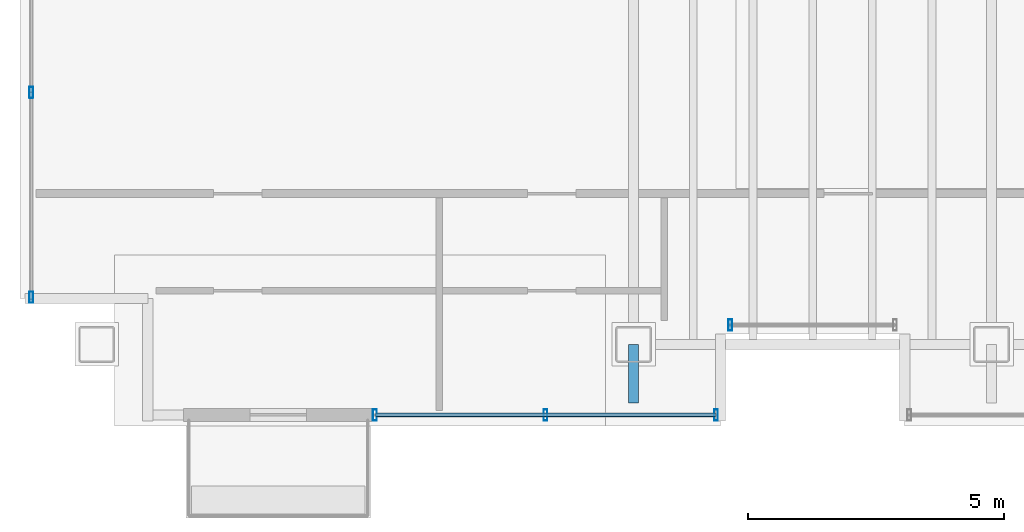
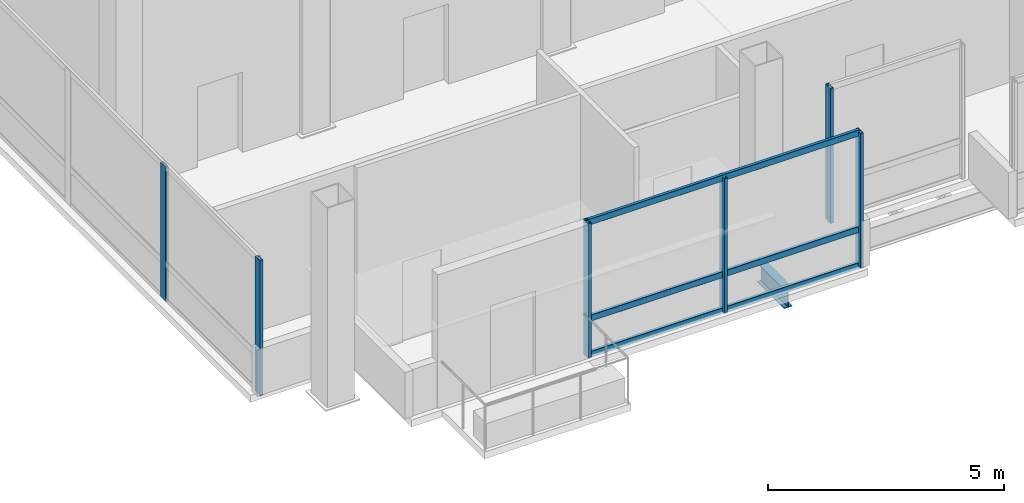
# One storey, part 2 of 17: 9 members, 1 beam, 3 elements without a shape of their own.
"""IFC4 building model written with IfcOpenShell, lengths in metres."""

from ifc_helpers import new_model, si_unit, direction, frame, origin, origin_2d, place, context, subcontext, project, spatial, hollow_rectangle, i_section, extrude, material, material_profile, profile_set, type_object, element, aggregate, save


model = new_model("IFC4")

# Units and contexts
model_context = context("Model", 3, precision=1e-05, world=origin(), true_north=direction((0.0, 1.0)))
body_context = subcontext(model_context, "Body", "Model", "MODEL_VIEW")
ifc_project = project(units=[si_unit("LENGTHUNIT", "METRE"), si_unit("AREAUNIT", "SQUARE_METRE"), si_unit("VOLUMEUNIT", "CUBIC_METRE"), si_unit("PLANEANGLEUNIT", "RADIAN"), si_unit("MASSUNIT", "GRAM", prefix="KILO")], contexts=[model_context])

# Site, building, storey
site_placement = place(None, origin())
site = spatial("IfcSite", under=ifc_project, at=site_placement, CompositionType="ELEMENT")
building_placement = place(site_placement, origin())
building = spatial("IfcBuilding", under=site, at=building_placement, Name="Noeulbin Bourse Tower", CompositionType="ELEMENT")
storey_placement = place(building_placement, frame((0.0, 0.0, 300.800048828125)))
storey = spatial("IfcBuildingStorey", under=building, at=storey_placement, Name="L75", CompositionType="ELEMENT", Elevation=300.800048828125)

# Beam
ifc_material_1 = material(Name="Steel S355", Category="steel")
ifc_material_profile_1 = material_profile(ifc_material_1, i_section(OverallWidth=0.199951171875, OverallDepth=0.5, WebThickness=0.010009765625, FlangeThickness=0.01611328125, FilletRadius=0.02001953125, at=origin_2d()), Name="H-500x200x10x16", Category="LoadBearing")
ifc_profile_set_1 = profile_set([ifc_material_profile_1], Name="Steel S355")
beam_type = type_object("IfcBeamType", Name="BM-GRD-500", PredefinedType="USERDEFINED", material=ifc_profile_set_1)
beam_placement = place(storey_placement, frame((24.0, 18.85009765625, -0.429931640625), z_axis=(0.0, 1.0, 0.0), x_axis=(-1.0, 0.0, 0.0)))
element("IfcBeam", 1, at=beam_placement, inside=storey, type_object=beam_type, Name="Tower Primary Girder NS L75-2.1", ObjectType="GIRDER", PredefinedType="USERDEFINED", context=body_context, shape_type="SweptSolid", body=[
    extrude(i_section(OverallWidth=0.199951171875, OverallDepth=0.5, WebThickness=0.010009765625, FlangeThickness=0.01611328125, FilletRadius=0.02001953125, at=origin_2d()), origin(), (0.0, 0.0, 1.0), 1.14990234375),
])

# Curtain wall, member
ifc_material_2 = material(Name="High-Selectivity Low-Iron Glazing", Category="glass")
curtain_wall_type = type_object("IfcCurtainWallType", Name="CW-SYS-4", PredefinedType="NOTDEFINED", material=ifc_material_2)
curtain_wall_1_placement = place(storey_placement, origin())
curtain_wall_1 = element("IfcCurtainWall", 2, at=curtain_wall_1_placement, inside=storey, type_object=curtain_wall_type, Name="Unitised Curtain Wall CW-L75-SREC", PredefinedType="NOTDEFINED")
ifc_material_3 = material(Name="Anodised Aluminium 6063-T6", Category="aluminium")
ifc_material_profile_2 = material_profile(ifc_material_3, hollow_rectangle(XDim=0.074951171875, YDim=0.219970703125, WallThickness=0.0048828125, InnerFilletRadius=0.00244140625, OuterFilletRadius=0.0048828125, at=origin_2d()), Name="ALU-MULL-75x220x5", Category="LoadBearing")
ifc_profile_set_2 = profile_set([ifc_material_profile_2], Name="Anodised Aluminium 6063-T6")
member_type_1 = type_object("IfcMemberType", Name="CW-SYS-4-MUL", PredefinedType="MULLION", material=ifc_profile_set_2)
member_1_placement = place(storey_placement, frame((25.889892578125, 20.3798828125, -0.02001953125), z_axis=(0.0, 0.0, 1.0), x_axis=(1.0, 0.0, 0.0)))
member_1 = element("IfcMember", 3, at=member_1_placement, type_object=member_type_1, Name="Curtain Wall Mullion CW-L75-SREC-M00", PredefinedType="MULLION", context=body_context, shape_type="SweptSolid", body=[
    extrude(hollow_rectangle(XDim=0.074951171875, YDim=0.219970703125, WallThickness=0.0048828125, InnerFilletRadius=0.00244140625, OuterFilletRadius=0.0048828125, at=origin_2d()), origin(), (0.0, 0.0, 1.0), 3.5),
])
aggregate(curtain_wall_1, [member_1])

# Curtain wall, members
curtain_wall_2_placement = place(storey_placement, origin())
curtain_wall_2 = element("IfcCurtainWall", 4, at=curtain_wall_2_placement, inside=storey, type_object=curtain_wall_type, Name="Unitised Curtain Wall CW-L75-S1", PredefinedType="NOTDEFINED")
member_2_placement = place(storey_placement, frame((18.93994140625, 18.6201171875, -0.02001953125), z_axis=(0.0, 0.0, 1.0), x_axis=(1.0, 0.0, 0.0)))
member_2 = element("IfcMember", 5, at=member_2_placement, type_object=member_type_1, Name="Curtain Wall Mullion CW-L75-S1-M00", PredefinedType="MULLION", context=body_context, shape_type="SweptSolid", body=[
    extrude(hollow_rectangle(XDim=0.074951171875, YDim=0.219970703125, WallThickness=0.0048828125, InnerFilletRadius=0.00244140625, OuterFilletRadius=0.0048828125, at=origin_2d()), origin(), (0.0, 0.0, 1.0), 3.5),
])
member_3_placement = place(storey_placement, frame((22.27490234375, 18.6201171875, -0.02001953125), z_axis=(0.0, 0.0, 1.0), x_axis=(1.0, 0.0, 0.0)))
member_3 = element("IfcMember", 6, at=member_3_placement, type_object=member_type_1, Name="Curtain Wall Mullion CW-L75-S1-M01", PredefinedType="MULLION", context=body_context, shape_type="SweptSolid", body=[
    extrude(hollow_rectangle(XDim=0.074951171875, YDim=0.219970703125, WallThickness=0.0048828125, InnerFilletRadius=0.00244140625, OuterFilletRadius=0.0048828125, at=origin_2d()), origin(), (0.0, 0.0, 1.0), 3.5),
])
member_4_placement = place(storey_placement, frame((25.610107421875, 18.6201171875, -0.02001953125), z_axis=(0.0, 0.0, 1.0), x_axis=(1.0, 0.0, 0.0)))
member_4 = element("IfcMember", 7, at=member_4_placement, type_object=member_type_1, Name="Curtain Wall Mullion CW-L75-S1-M02", PredefinedType="MULLION", context=body_context, shape_type="SweptSolid", body=[
    extrude(hollow_rectangle(XDim=0.074951171875, YDim=0.219970703125, WallThickness=0.0048828125, InnerFilletRadius=0.00244140625, OuterFilletRadius=0.0048828125, at=origin_2d()), origin(), (0.0, 0.0, 1.0), 3.5),
])

curtain_wall_3_placement = place(storey_placement, origin())
curtain_wall_3 = element("IfcCurtainWall", 8, at=curtain_wall_3_placement, inside=storey, type_object=curtain_wall_type, Name="Unitised Curtain Wall CW-L75-W", PredefinedType="NOTDEFINED")
member_5_placement = place(storey_placement, frame((12.219970703125, 20.919921875, -0.02001953125), z_axis=(0.0, 0.0, 1.0), x_axis=(1.0, 0.0, 0.0)))
member_5 = element("IfcMember", 9, at=member_5_placement, type_object=member_type_1, Name="Curtain Wall Mullion CW-L75-W-M00", PredefinedType="MULLION", context=body_context, shape_type="SweptSolid", body=[
    extrude(hollow_rectangle(XDim=0.074951171875, YDim=0.219970703125, WallThickness=0.0048828125, InnerFilletRadius=0.00244140625, OuterFilletRadius=0.0048828125, at=origin_2d()), origin(), (0.0, 0.0, 1.0), 3.5),
])
member_6_placement = place(storey_placement, frame((12.219970703125, 24.927978515625, -0.02001953125), z_axis=(0.0, 0.0, 1.0), x_axis=(1.0, 0.0, 0.0)))
member_6 = element("IfcMember", 10, at=member_6_placement, type_object=member_type_1, Name="Curtain Wall Mullion CW-L75-W-M01", PredefinedType="MULLION", context=body_context, shape_type="SweptSolid", body=[
    extrude(hollow_rectangle(XDim=0.074951171875, YDim=0.219970703125, WallThickness=0.0048828125, InnerFilletRadius=0.00244140625, OuterFilletRadius=0.0048828125, at=origin_2d()), origin(), (0.0, 0.0, 1.0), 3.5),
])
aggregate(curtain_wall_3, [member_5, member_6])

# Member
ifc_material_profile_3 = material_profile(ifc_material_3, hollow_rectangle(XDim=0.074951171875, YDim=0.159912109375, WallThickness=0.0048828125, InnerFilletRadius=0.00244140625, OuterFilletRadius=0.0048828125, at=origin_2d()), Name="ALU-TRAN-75x160x5", Category="LoadBearing")
ifc_profile_set_3 = profile_set([ifc_material_profile_3], Name="Anodised Aluminium 6063-T6")
member_type_2 = type_object("IfcMemberType", Name="CW-SYS-4-TRN", PredefinedType="USERDEFINED", material=ifc_profile_set_3)
member_7_placement = place(storey_placement, frame((18.949951171875, 18.6201171875, 0.010009765625), z_axis=(1.0, 0.0, 0.0), x_axis=(0.0, 1.0, 0.0)))
member_7 = element("IfcMember", 11, at=member_7_placement, type_object=member_type_2, Name="Curtain Wall Transom CW-L75-S1-T00", ObjectType="TRANSOM", PredefinedType="USERDEFINED", context=body_context, shape_type="SweptSolid", body=[
    extrude(hollow_rectangle(XDim=0.074951171875, YDim=0.159912109375, WallThickness=0.0048828125, InnerFilletRadius=0.00244140625, OuterFilletRadius=0.0048828125, at=origin_2d()), origin(), (0.0, 0.0, 1.0), 6.650146484375),
])

member_8_placement = place(storey_placement, frame((18.949951171875, 18.6201171875, 0.949951171875), z_axis=(1.0, 0.0, 0.0), x_axis=(0.0, 1.0, 0.0)))
member_8 = element("IfcMember", 12, at=member_8_placement, type_object=member_type_2, Name="Curtain Wall Transom CW-L75-S1-T01", ObjectType="TRANSOM", PredefinedType="USERDEFINED", context=body_context, shape_type="SweptSolid", body=[
    extrude(hollow_rectangle(XDim=0.074951171875, YDim=0.159912109375, WallThickness=0.0048828125, InnerFilletRadius=0.00244140625, OuterFilletRadius=0.0048828125, at=origin_2d()), origin(), (0.0, 0.0, 1.0), 6.650146484375),
])

member_9_placement = place(storey_placement, frame((18.949951171875, 18.6201171875, 3.449951171875), z_axis=(1.0, 0.0, 0.0), x_axis=(0.0, 1.0, 0.0)))
member_9 = element("IfcMember", 13, at=member_9_placement, type_object=member_type_2, Name="Curtain Wall Transom CW-L75-S1-T02", ObjectType="TRANSOM", PredefinedType="USERDEFINED", context=body_context, shape_type="SweptSolid", body=[
    extrude(hollow_rectangle(XDim=0.074951171875, YDim=0.159912109375, WallThickness=0.0048828125, InnerFilletRadius=0.00244140625, OuterFilletRadius=0.0048828125, at=origin_2d()), origin(), (0.0, 0.0, 1.0), 6.650146484375),
])

aggregate(curtain_wall_2, [member_2, member_3, member_4, member_7, member_8, member_9])

save(model, "model.ifc")
